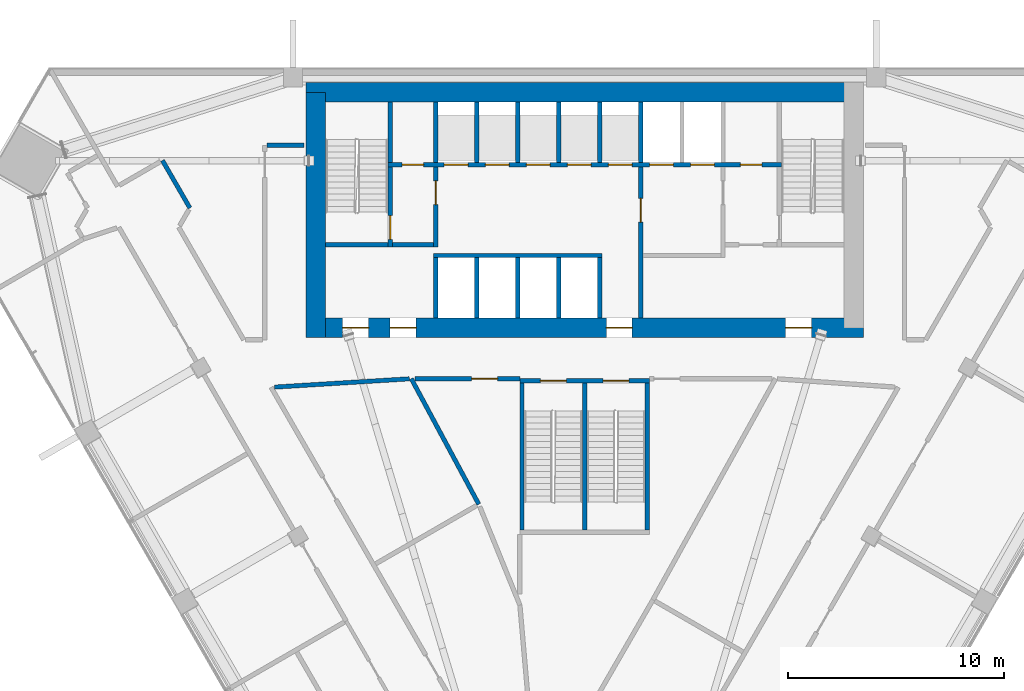
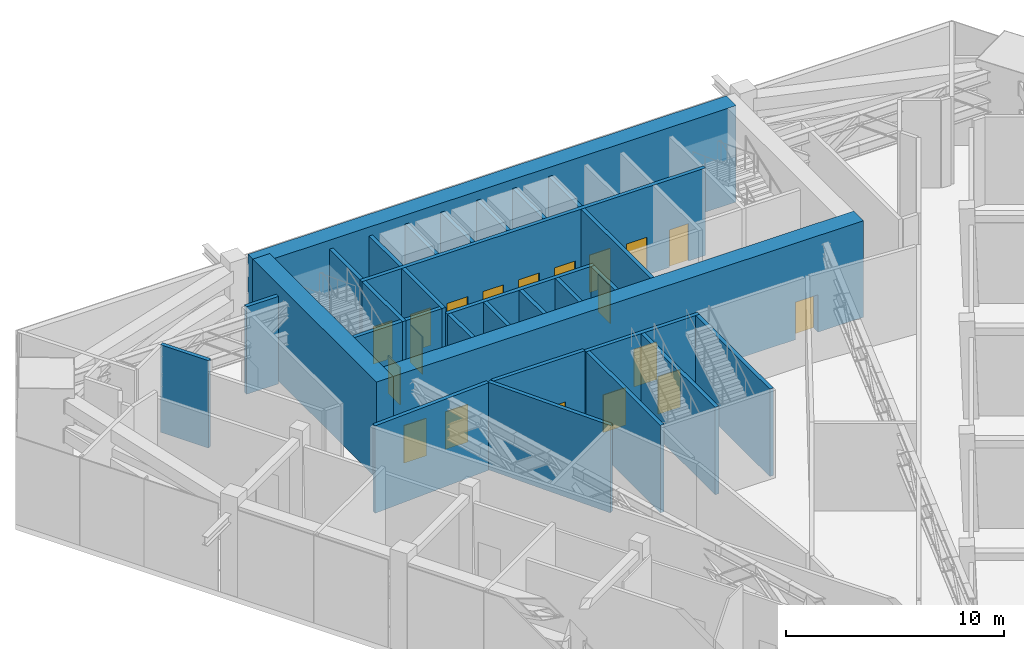
# One storey, part 10 of 15: 31 walls, 19 doors, 19 openings.
"""IFC4 building model written with IfcOpenShell, lengths in metres."""

import ifcopenshell
import ifcopenshell.guid

model = None  # the IFC model being written
_history = None  # IfcOwnerHistory: only IFC2X3 demands one
_inside = {}  # id of a spatial element -> (the spatial element, [elements in it])
_under = {}  # id of a project, library or spatial element -> (it, [spatial elements below it])
_declared = {}  # id of a project -> (the project, [libraries it declares])
_typed = {}  # id of a type object -> (the type object, [elements of that type])
_made_of = {}  # id of a material, layer set ... -> (it, [elements and type objects made of it])


def new_model(schema):
    """Start an empty IFC model of exactly this schema.

    Asked for "IFC4X3", IfcOpenShell would pick the latest addendum, in which some entities
    have other attributes; the version numbers below select the first issue.
    IFC2X3 requires an IfcOwnerHistory on every rooted entity: one is made here for all.
    """
    global model, _history
    if schema == "IFC4X3":
        model = ifcopenshell.file(schema_version=(4, 3, 0, 0))
    else:
        model = ifcopenshell.file(schema=schema)
    _inside.clear()
    _under.clear()
    _declared.clear()
    _typed.clear()
    _made_of.clear()
    _history = None
    if model.schema == "IFC2X3":
        org = make("IfcOrganization", Name="unknown")
        user = make(
            "IfcPersonAndOrganization",
            ThePerson=make("IfcPerson", FamilyName="unknown"),
            TheOrganization=org,
        )
        app = make(
            "IfcApplication",
            ApplicationDeveloper=org,
            Version="unknown",
            ApplicationFullName="unknown",
            ApplicationIdentifier="unknown",
        )
        _history = make(
            "IfcOwnerHistory",
            OwningUser=user,
            OwningApplication=app,
            ChangeAction="ADDED",
            CreationDate=0,
        )
    return model


def make(cls, **values):
    """One entity of the class cls with the attributes given. An attribute that is None is left unset."""
    return model.create_entity(
        cls, **{name: value for name, value in values.items() if value is not None}
    )


def rooted(cls, **values):
    """An entity with a GlobalId (a new one), such as an element, a storey or a relation."""
    return make(cls, GlobalId=ifcopenshell.guid.new(), OwnerHistory=_history, **values)


def si_unit(unit_type, name, prefix=None):
    """IfcSIUnit, for example si_unit("LENGTHUNIT", "METRE", prefix="MILLI")."""
    return make("IfcSIUnit", UnitType=unit_type, Prefix=prefix, Name=name)


def assignment(units):
    """IfcUnitAssignment: the units of a project."""
    return None if units is None else make("IfcUnitAssignment", Units=units)


def point(xyz):
    """IfcCartesianPoint."""
    return None if xyz is None else make("IfcCartesianPoint", Coordinates=xyz)


def direction(xyz):
    """IfcDirection."""
    return None if xyz is None else make("IfcDirection", DirectionRatios=xyz)


def frame(location, z_axis=None, x_axis=None):
    """IfcAxis2Placement3D, a coordinate frame: its origin and axes. An axis left out is left unset."""
    return make(
        "IfcAxis2Placement3D",
        Location=point(location),
        Axis=direction(z_axis),
        RefDirection=direction(x_axis),
    )


def frame_2d(location, x_axis=None):
    """IfcAxis2Placement2D, a coordinate frame in the plane: its origin and x axis."""
    return make(
        "IfcAxis2Placement2D", Location=point(location), RefDirection=direction(x_axis)
    )


def origin():
    """The frame at (0, 0, 0) with its axes left unset."""
    return frame((0.0, 0.0, 0.0))


def place(relative_to, where):
    """IfcLocalPlacement: puts the frame where relative to a parent placement (None: the world)."""
    return make(
        "IfcLocalPlacement", PlacementRelTo=relative_to, RelativePlacement=where
    )


def context(
    kind, dimensions, precision=None, world=None, true_north=None, identifier=None
):
    """IfcGeometricRepresentationContext, for example the 3D "Model" context."""
    return make(
        "IfcGeometricRepresentationContext",
        ContextIdentifier=identifier,
        ContextType=kind,
        CoordinateSpaceDimension=dimensions,
        Precision=precision,
        WorldCoordinateSystem=world,
        TrueNorth=true_north,
    )


def subcontext(parent, identifier, kind, view, scale=None):
    """IfcGeometricRepresentationSubContext, for example "Body" below "Model"."""
    return make(
        "IfcGeometricRepresentationSubContext",
        ContextIdentifier=identifier,
        ContextType=kind,
        ParentContext=parent,
        TargetScale=scale,
        TargetView=view,
    )


def project(units=None, contexts=None):
    """IfcProject with its units and contexts."""
    return rooted(
        "IfcProject",
        Name="project",
        RepresentationContexts=contexts,
        UnitsInContext=assignment(units),
    )


def spatial(cls, under=None, at=None, **own):
    """A site, building, storey or space (cls), placed at a placement, below another one or the project."""
    s = rooted(cls, ObjectPlacement=at, **own)
    if under is not None:
        _under.setdefault(under.id(), (under, []))[1].append(s)
    return s


def profile(cls, at=None, kind="AREA", **sizes):
    """A parametric profile (cls). Its sizes go by their IFC names, for example OverallWidth=200.0."""
    return make(cls, ProfileType=kind, Position=at, **sizes)


def rectangle(**sizes):
    """IfcRectangleProfileDef."""
    return profile("IfcRectangleProfileDef", **sizes)


def extrude(swept, where, along, depth):
    """IfcExtrudedAreaSolid: the profile swept, set in the frame where, extruded along a direction by depth."""
    return make(
        "IfcExtrudedAreaSolid",
        SweptArea=swept,
        Position=where,
        ExtrudedDirection=direction(along),
        Depth=depth,
    )


def shape(context_of_items, identifier, shape_type, items):
    """IfcShapeRepresentation: the items that make up one representation, for example the "Body"."""
    return make(
        "IfcShapeRepresentation",
        ContextOfItems=context_of_items,
        RepresentationIdentifier=identifier,
        RepresentationType=shape_type,
        Items=items,
    )


def material(Name=None, Category=None):
    """IfcMaterial."""
    return make("IfcMaterial", Name=Name, Category=Category)


def layer(
    of_material, thickness, ventilated=None, Name=None, Category=None, Priority=None
):
    """IfcMaterialLayer: one layer of a wall or slab, of a material (None: an air gap)."""
    return make(
        "IfcMaterialLayer",
        Material=of_material,
        LayerThickness=thickness,
        IsVentilated=ventilated,
        Name=Name,
        Category=Category,
        Priority=Priority,
    )


def layer_set(layers, Name=None):
    """IfcMaterialLayerSet."""
    return make("IfcMaterialLayerSet", MaterialLayers=layers, LayerSetName=Name)


def made_of(thing, what):
    """Note that an element or type object is made of a material, layer set ...; save() writes the relation."""
    if what is not None:
        _made_of.setdefault(what.id(), (what, []))[1].append(thing)
    return thing


def type_object(cls, material=None, **own):
    """A type object (cls), such as IfcWallType, which elements share."""
    return made_of(rooted(cls, **own), material)


def element(
    cls,
    number,
    at=None,
    inside=None,
    cuts=None,
    type_object=None,
    material=None,
    context=None,
    identifier="Body",
    shape_type=None,
    held_by="IfcProductDefinitionShape",
    body=None,
    shapes=None,
    **own,
):
    """One element of the class cls, such as IfcWall. Its Tag is "e" and its number.

    at: its placement. inside: the storey or other place that contains it. cuts: it is an
    opening in that element (IfcRelVoidsElement). A single representation is given by context,
    identifier, shape_type and body (its items); several are given by shapes. held_by: the class
    of the entity that holds the representations. save() writes the other relations.
    """
    e = rooted(cls, Tag="e%d" % number, ObjectPlacement=at, **own)
    if body is not None:
        shapes = [shape(context, identifier, shape_type, body)]
    if shapes is not None:
        e.Representation = make(held_by, Representations=shapes)
    if inside is not None:
        _inside.setdefault(inside.id(), (inside, []))[1].append(e)
    if cuts is not None:
        rooted(
            "IfcRelVoidsElement", RelatingBuildingElement=cuts, RelatedOpeningElement=e
        )
    if type_object is not None:
        _typed.setdefault(type_object.id(), (type_object, []))[1].append(e)
    return made_of(e, material)


def fill(opening, filler):
    """IfcRelFillsElement: the door or window that sits in an opening."""
    return rooted(
        "IfcRelFillsElement",
        RelatingOpeningElement=opening,
        RelatedBuildingElement=filler,
    )


def aggregate(whole, parts):
    """IfcRelAggregates: a whole, such as a stair, and the parts it consists of."""
    return rooted("IfcRelAggregates", RelatingObject=whole, RelatedObjects=parts)


def save(model, path):
    """Write the relations noted so far, then the file.

    IfcRelAggregates (storeys below a building ...), IfcRelContainedInSpatialStructure (elements
    in a storey), IfcRelDefinesByType, IfcRelAssociatesMaterial and IfcRelDeclares: one each for
    every whole, place, type object, material and project.
    """
    for whole, parts in _under.values():
        aggregate(whole, parts)
    for where, things in _inside.values():
        rooted(
            "IfcRelContainedInSpatialStructure",
            RelatedElements=things,
            RelatingStructure=where,
        )
    for kind, things in _typed.values():
        rooted("IfcRelDefinesByType", RelatedObjects=things, RelatingType=kind)
    for what, things in _made_of.values():
        rooted("IfcRelAssociatesMaterial", RelatedObjects=things, RelatingMaterial=what)
    for by, libraries in _declared.values():
        rooted("IfcRelDeclares", RelatingContext=by, RelatedDefinitions=libraries)
    model.write(path)


model = new_model("IFC4")

# Units and contexts
model_context = context("Model", 3, precision=1e-05, world=origin(), true_north=direction((0.0, 1.0)))
body_context = subcontext(model_context, "Body", "Model", "MODEL_VIEW")
ifc_project = project(units=[si_unit("LENGTHUNIT", "METRE"), si_unit("AREAUNIT", "SQUARE_METRE"), si_unit("VOLUMEUNIT", "CUBIC_METRE"), si_unit("PLANEANGLEUNIT", "RADIAN"), si_unit("MASSUNIT", "GRAM", prefix="KILO")], contexts=[model_context])

# Site, building, storey
site_placement = place(None, origin())
site = spatial("IfcSite", under=ifc_project, at=site_placement, CompositionType="ELEMENT")
building_placement = place(site_placement, origin())
building = spatial("IfcBuilding", under=site, at=building_placement, Name="Altiplano Prism Tower", CompositionType="ELEMENT")
storey_placement = place(building_placement, frame((0.0, 0.0, 95.39990234375)))
storey = spatial("IfcBuildingStorey", under=building, at=storey_placement, Name="L24", CompositionType="ELEMENT", Elevation=95.39990234375)

# Wall, openings, doors
ifc_material_1 = material(Name="Concrete C70/85", Category="concrete")
ifc_layer_1 = layer(ifc_material_1, 0.89990234375)
ifc_layer_set_1 = layer_set([ifc_layer_1], Name="Concrete C70/85")
wall_type_1 = type_object("IfcWallType", Name="Core wall 900", PredefinedType="SHEAR", material=ifc_layer_set_1)
wall_1_placement = place(storey_placement, frame((72.550048828125, 92.949951171875, 0.0), z_axis=(0.0, 0.0, 1.0), x_axis=(1.0, 0.0, 0.0)))
wall_1 = element("IfcWall", 1, at=wall_1_placement, inside=storey, type_object=wall_type_1, Name="Core wall S L24", PredefinedType="SHEAR", context=body_context, shape_type="SweptSolid", body=[
    extrude(rectangle(XDim=25.349853515625, YDim=0.89990234375, at=frame_2d((12.6748046875, 0.0))), origin(), (0.0, 0.0, 1.0), 5.400146484375),
])
opening_1_placement = place(wall_1_placement, frame((1.25, 0.0, 0.0)))
opening_1 = element("IfcOpeningElement", 2, at=opening_1_placement, cuts=wall_1, Name="Opening D2913", PredefinedType="OPENING", context=body_context, shape_type="SweptSolid", body=[
    extrude(rectangle(XDim=1.199951171875, YDim=2.10009765625, at=frame_2d((0.60009765625, 1.050048828125))), frame((0.0, 0.46044921875, 0.0), z_axis=(0.0, -1.0, 0.0), x_axis=(1.0, 0.0, 0.0)), (0.0, 0.0, 1.0), 0.9208984375),
])
opening_2_placement = place(wall_1_placement, frame((3.449951171875, 0.0, 0.0)))
opening_2 = element("IfcOpeningElement", 3, at=opening_2_placement, cuts=wall_1, Name="Opening D2914", PredefinedType="OPENING", context=body_context, shape_type="SweptSolid", body=[
    extrude(rectangle(XDim=1.199951171875, YDim=2.10009765625, at=frame_2d((0.60009765625, 1.050048828125))), frame((0.0, 0.46044921875, 0.0), z_axis=(0.0, -1.0, 0.0), x_axis=(1.0, 0.0, 0.0)), (0.0, 0.0, 1.0), 0.9208984375),
])
opening_3_placement = place(wall_1_placement, frame((13.449951171875, 0.0, 0.0)))
opening_3 = element("IfcOpeningElement", 4, at=opening_3_placement, cuts=wall_1, Name="Opening D2915", PredefinedType="OPENING", context=body_context, shape_type="SweptSolid", body=[
    extrude(rectangle(XDim=1.199951171875, YDim=2.10009765625, at=frame_2d((0.60009765625, 1.050048828125))), frame((0.0, 0.46044921875, 0.0), z_axis=(0.0, -1.0, 0.0), x_axis=(1.0, 0.0, 0.0)), (0.0, 0.0, 1.0), 0.9208984375),
])
opening_4_placement = place(wall_1_placement, frame((21.75, 0.0, 0.0)))
opening_4 = element("IfcOpeningElement", 5, at=opening_4_placement, cuts=wall_1, Name="Opening D2918", PredefinedType="OPENING", context=body_context, shape_type="SweptSolid", body=[
    extrude(rectangle(XDim=1.199951171875, YDim=2.10009765625, at=frame_2d((0.60009765625, 1.050048828125))), frame((0.0, 0.46044921875, 0.0), z_axis=(0.0, -1.0, 0.0), x_axis=(1.0, 0.0, 0.0)), (0.0, 0.0, 1.0), 0.9208984375),
])
ifc_material_2 = material(Name="Fire-rated steel door", Category="steel")
door_type_1 = type_object("IfcDoorType", Name="Core room door 1200 x 2100", OperationType="NOTDEFINED", PredefinedType="NOTDEFINED", material=ifc_material_2)
door_1_placement = place(opening_4_placement, origin())
door_1 = element("IfcDoor", 6, at=door_1_placement, inside=storey, type_object=door_type_1, Name="Core room door D2918", OperationType="SINGLE_SWING_RIGHT", OverallHeight=2.10009765625, OverallWidth=1.199951171875, PredefinedType="NOTDEFINED", context=body_context, shape_type="SweptSolid", body=[
    extrude(rectangle(XDim=1.199951171875, YDim=2.10009765625, at=frame_2d((0.60009765625, 1.050048828125))), frame((0.0, 0.02490234375, 0.0), z_axis=(0.0, -1.0, 0.0), x_axis=(1.0, 0.0, 0.0)), (0.0, 0.0, 1.0), 0.050048828125),
])
fill(opening_4, door_1)
door_type_2 = type_object("IfcDoorType", Name="Lobby fire door 1200 x 2100", OperationType="NOTDEFINED", PredefinedType="NOTDEFINED", material=ifc_material_2)
door_2_placement = place(opening_1_placement, origin())
door_2 = element("IfcDoor", 7, at=door_2_placement, inside=storey, type_object=door_type_2, Name="Lobby fire door D2913", OperationType="SINGLE_SWING_RIGHT", OverallHeight=2.10009765625, OverallWidth=1.199951171875, PredefinedType="NOTDEFINED", context=body_context, shape_type="SweptSolid", body=[
    extrude(rectangle(XDim=1.199951171875, YDim=2.10009765625, at=frame_2d((0.60009765625, 1.050048828125))), frame((0.0, 0.02490234375, 0.0), z_axis=(0.0, -1.0, 0.0), x_axis=(1.0, 0.0, 0.0)), (0.0, 0.0, 1.0), 0.050048828125),
])
fill(opening_1, door_2)
door_3_placement = place(opening_2_placement, origin())
door_3 = element("IfcDoor", 8, at=door_3_placement, inside=storey, type_object=door_type_2, Name="Lobby fire door D2914", OperationType="SINGLE_SWING_LEFT", OverallHeight=2.10009765625, OverallWidth=1.199951171875, PredefinedType="NOTDEFINED", context=body_context, shape_type="SweptSolid", body=[
    extrude(rectangle(XDim=1.199951171875, YDim=2.10009765625, at=frame_2d((0.60009765625, 1.050048828125))), frame((0.0, 0.02490234375, 0.0), z_axis=(0.0, -1.0, 0.0), x_axis=(1.0, 0.0, 0.0)), (0.0, 0.0, 1.0), 0.050048828125),
])
fill(opening_2, door_3)
door_4_placement = place(opening_3_placement, origin())
door_4 = element("IfcDoor", 9, at=door_4_placement, inside=storey, type_object=door_type_2, Name="Lobby fire door D2915", OperationType="SINGLE_SWING_RIGHT", OverallHeight=2.10009765625, OverallWidth=1.199951171875, PredefinedType="NOTDEFINED", context=body_context, shape_type="SweptSolid", body=[
    extrude(rectangle(XDim=1.199951171875, YDim=2.10009765625, at=frame_2d((0.60009765625, 1.050048828125))), frame((0.0, 0.02490234375, 0.0), z_axis=(0.0, -1.0, 0.0), x_axis=(1.0, 0.0, 0.0)), (0.0, 0.0, 1.0), 0.050048828125),
])
fill(opening_3, door_4)

# Walls
wall_2_placement = place(storey_placement, frame((97.449951171875, 103.85009765625, 0.0), z_axis=(0.0, 0.0, 1.0), x_axis=(-1.0, 0.0, 0.0)))
element("IfcWall", 10, at=wall_2_placement, inside=storey, type_object=wall_type_1, Name="Core wall N L24", PredefinedType="SHEAR", context=body_context, shape_type="SweptSolid", body=[
    extrude(rectangle(XDim=25.349853515625, YDim=0.89990234375, at=frame_2d((12.6748046875, 0.0))), origin(), (0.0, 0.0, 1.0), 5.400146484375),
])
wall_3_placement = place(storey_placement, frame((72.550048828125, 103.85009765625, 0.0), z_axis=(0.0, 0.0, 1.0), x_axis=(0.0, -1.0, 0.0)))
element("IfcWall", 11, at=wall_3_placement, inside=storey, type_object=wall_type_1, Name="Core wall W L24", PredefinedType="SHEAR", context=body_context, shape_type="SweptSolid", body=[
    extrude(rectangle(XDim=11.35009765625, YDim=0.89990234375, at=frame_2d((5.675048828125, 0.0))), origin(), (0.0, 0.0, 1.0), 5.400146484375),
])
ifc_material_3 = material(Name="Plasterboard on steel stud", Category="steel")
ifc_layer_2 = layer(ifc_material_3, 0.199951171875)
ifc_layer_set_2 = layer_set([ifc_layer_2], Name="Plasterboard on steel stud")
wall_type_2 = type_object("IfcWallType", Name="Partition 200 plant", PredefinedType="PARTITIONING", material=ifc_layer_set_2)
wall_4_placement = place(storey_placement, frame((70.6494140625, 90.2099609375, 0.0), z_axis=(0.0, 0.0, 1.0), x_axis=(0.998113233589, 0.061400105332, 0.0)))
element("IfcWall", 12, at=wall_4_placement, inside=storey, type_object=wall_type_2, Name="Partition P04 L24 036", PredefinedType="PARTITIONING", context=body_context, shape_type="SweptSolid", body=[
    extrude(rectangle(XDim=6.24658203125, YDim=0.199951171875, at=frame_2d((3.123291015625, 0.0))), origin(), (0.0, 0.0, 1.0), 4.900146484375),
])

# Wall, opening, door
wall_5_placement = place(storey_placement, frame((77.142333984375, 90.59912109375, 0.0), z_axis=(0.0, 0.0, 1.0), x_axis=(0.999999979792, 0.000201035328, 0.0)))
wall_5 = element("IfcWall", 13, at=wall_5_placement, inside=storey, type_object=wall_type_2, Name="Partition P04 L24 037", PredefinedType="PARTITIONING", context=body_context, shape_type="SweptSolid", body=[
    extrude(rectangle(XDim=4.857666015625, YDim=0.199951171875, at=frame_2d((2.4287109375, 0.0))), origin(), (0.0, 0.0, 1.0), 4.900146484375),
])
opening_5_placement = place(wall_5_placement, frame((2.6279296875, 0.0, 0.0)))
opening_5 = element("IfcOpeningElement", 14, at=opening_5_placement, cuts=wall_5, Name="Opening D0905", PredefinedType="OPENING", context=body_context, shape_type="SweptSolid", body=[
    extrude(rectangle(XDim=1.199951171875, YDim=2.39990234375, at=frame_2d((0.60009765625, 1.199951171875))), frame((0.0, 0.1103515625, 0.0), z_axis=(0.0, -1.0, 0.0), x_axis=(1.0, 0.0, 0.0)), (0.0, 0.0, 1.0), 0.220947265625),
])
ifc_material_4 = material(Name="Painted steel door leaf", Category="steel")
door_type_3 = type_object("IfcDoorType", Name="Plant room door 1200 x 2400", OperationType="NOTDEFINED", PredefinedType="NOTDEFINED", material=ifc_material_4)
door_5_placement = place(opening_5_placement, origin())
door_5 = element("IfcDoor", 15, at=door_5_placement, inside=storey, type_object=door_type_3, Name="Door D0905", OperationType="SINGLE_SWING_RIGHT", OverallHeight=2.39990234375, OverallWidth=1.199951171875, PredefinedType="NOTDEFINED", context=body_context, shape_type="SweptSolid", body=[
    extrude(rectangle(XDim=1.199951171875, YDim=2.39990234375, at=frame_2d((0.60009765625, 1.199951171875))), frame((0.0, 0.02490234375, 0.0), z_axis=(0.0, -1.0, 0.0), x_axis=(1.0, 0.0, 0.0)), (0.0, 0.0, 1.0), 0.050048828125),
])
fill(opening_5, door_5)

# Walls
wall_6_placement = place(storey_placement, frame((80.0986328125, 84.78857421875, 0.0), z_axis=(0.0, 0.0, 1.0), x_axis=(-0.473486182435, 0.88080124605, 0.0)))
element("IfcWall", 16, at=wall_6_placement, inside=storey, type_object=wall_type_2, Name="Partition P04 L24 060", PredefinedType="PARTITIONING", context=body_context, shape_type="SweptSolid", body=[
    extrude(rectangle(XDim=6.596923828125, YDim=0.199951171875, at=frame_2d((3.29833984375, 0.0))), origin(), (0.0, 0.0, 1.0), 4.900146484375),
])
ifc_layer_3 = layer(ifc_material_3, 0.199951171875)
ifc_layer_set_3 = layer_set([ifc_layer_3], Name="Plasterboard on steel stud")
wall_type_3 = type_object("IfcWallType", Name="Partition 200 refuge", PredefinedType="PARTITIONING", material=ifc_layer_set_3)
wall_7_placement = place(storey_placement, frame((72.0, 101.39990234375, 0.0), z_axis=(0.0, 0.0, 1.0), x_axis=(-1.0, 0.0, 0.0)))
element("IfcWall", 17, at=wall_7_placement, inside=storey, type_object=wall_type_3, Name="Partition P05 L24 025", PredefinedType="PARTITIONING", context=body_context, shape_type="SweptSolid", body=[
    extrude(rectangle(XDim=1.699951171875, YDim=0.199951171875, at=frame_2d((0.85009765625, 0.0))), origin(), (0.0, 0.0, 1.0), 4.900146484375),
])
wall_8_placement = place(storey_placement, frame((66.728271484375, 98.5, 0.0), z_axis=(0.0, 0.0, 1.0), x_axis=(-0.500035802948, 0.866004731956, 0.0)))
element("IfcWall", 18, at=wall_8_placement, inside=storey, type_object=wall_type_3, Name="Partition P05 L24 030", PredefinedType="PARTITIONING", context=body_context, shape_type="SweptSolid", body=[
    extrude(rectangle(XDim=2.540283203125, YDim=0.199951171875, at=frame_2d((1.27001953125, 0.0))), origin(), (0.0, 0.0, 1.0), 4.900146484375),
])

# Wall, opening, door
ifc_material_5 = material(Name="Concrete C60/75", Category="concrete")
ifc_layer_4 = layer(ifc_material_5, 0.199951171875)
ifc_layer_set_4 = layer_set([ifc_layer_4], Name="Concrete C60/75")
wall_type_4 = type_object("IfcWallType", Name="Refuge wall 200", PredefinedType="PARTITIONING", material=ifc_layer_set_4)
wall_9_placement = place(storey_placement, frame((87.60009765625, 93.39990234375, 0.0), z_axis=(0.0, 0.0, 1.0), x_axis=(0.0, 1.0, 0.0)))
wall_9 = element("IfcWall", 19, at=wall_9_placement, inside=storey, type_object=wall_type_4, Name="Refuge wall L24", PredefinedType="PARTITIONING", context=body_context, shape_type="SweptSolid", body=[
    extrude(rectangle(XDim=7.0, YDim=0.199951171875, at=frame_2d((3.5, 0.0))), origin(), (0.0, 0.0, 1.0), 4.900146484375),
])
opening_6_placement = place(wall_9_placement, frame((4.449951171875, 0.0, 0.0)))
opening_6 = element("IfcOpeningElement", 20, at=opening_6_placement, cuts=wall_9, Name="Opening D2911", PredefinedType="OPENING", context=body_context, shape_type="SweptSolid", body=[
    extrude(rectangle(XDim=1.10009765625, YDim=2.10009765625, at=frame_2d((0.550048828125, 1.050048828125))), frame((0.0, 0.1103515625, 0.0), z_axis=(0.0, -1.0, 0.0), x_axis=(1.0, 0.0, 0.0)), (0.0, 0.0, 1.0), 0.220947265625),
])
door_type_4 = type_object("IfcDoorType", Name="Vestibule fire door 1100 x 2100", OperationType="NOTDEFINED", PredefinedType="NOTDEFINED", material=ifc_material_2)
door_6_placement = place(opening_6_placement, origin())
door_6 = element("IfcDoor", 21, at=door_6_placement, inside=storey, type_object=door_type_4, Name="Vestibule fire door D2911", OperationType="SINGLE_SWING_RIGHT", OverallHeight=2.10009765625, OverallWidth=1.10009765625, PredefinedType="NOTDEFINED", context=body_context, shape_type="SweptSolid", body=[
    extrude(rectangle(XDim=1.10009765625, YDim=2.10009765625, at=frame_2d((0.550048828125, 1.050048828125))), frame((0.0, 0.02490234375, 0.0), z_axis=(0.0, -1.0, 0.0), x_axis=(1.0, 0.0, 0.0)), (0.0, 0.0, 1.0), 0.050048828125),
])
fill(opening_6, door_6)

# Walls
ifc_layer_5 = layer(ifc_material_5, 0.199951171875)
ifc_layer_set_5 = layer_set([ifc_layer_5], Name="Concrete C60/75")
wall_type_5 = type_object("IfcWallType", Name="Shaft wall 200", PredefinedType="SOLIDWALL", material=ifc_layer_set_5)
for number, where, z_axis, x_axis, name in (
    (22, (78.10009765625, 93.39990234375, 0.0), (0.0, 0.0, 1.0), (0.0, 1.0, 0.0), "Shaft wall L24"),
    (23, (80.0, 93.39990234375, 0.0), (0.0, 0.0, 1.0), (0.0, 1.0, 0.0), "Shaft wall L24"),
    (24, (81.89990234375, 93.39990234375, 0.0), (0.0, 0.0, 1.0), (0.0, 1.0, 0.0), "Shaft wall L24"),
    (25, (83.800048828125, 93.39990234375, 0.0), (0.0, 0.0, 1.0), (0.0, 1.0, 0.0), "Shaft wall L24"),
    (26, (85.699951171875, 93.39990234375, 0.0), (0.0, 0.0, 1.0), (0.0, 1.0, 0.0), "Shaft wall L24"),
):
    element("IfcWall", number, at=place(storey_placement, frame(where, z_axis=z_axis, x_axis=x_axis)), inside=storey, type_object=wall_type_5, Name=name, PredefinedType="SOLIDWALL", context=body_context, shape_type="SweptSolid", body=[
        extrude(rectangle(XDim=2.800048828125, YDim=0.199951171875, at=frame_2d((1.39990234375, 0.0))), origin(), (0.0, 0.0, 1.0), 4.900146484375),
    ])
wall_10_placement = place(storey_placement, frame((78.0, 96.300048828125, 0.0), z_axis=(0.0, 0.0, 1.0), x_axis=(1.0, 0.0, 0.0)))
element("IfcWall", 27, at=wall_10_placement, inside=storey, type_object=wall_type_5, Name="Shaft wall L24", PredefinedType="SOLIDWALL", context=body_context, shape_type="SweptSolid", body=[
    extrude(rectangle(XDim=7.800048828125, YDim=0.199951171875, at=frame_2d((3.89990234375, 0.0))), origin(), (0.0, 0.0, 1.0), 4.900146484375),
])
for number, where, z_axis, x_axis, name in (
    (28, (78.10009765625, 100.60009765625, 0.0), (0.0, 0.0, 1.0), (0.0, 1.0, 0.0), "Shaft wall L24"),
    (29, (80.0, 100.60009765625, 0.0), (0.0, 0.0, 1.0), (0.0, 1.0, 0.0), "Shaft wall L24"),
    (30, (81.89990234375, 100.60009765625, 0.0), (0.0, 0.0, 1.0), (0.0, 1.0, 0.0), "Shaft wall L24"),
    (31, (83.800048828125, 100.60009765625, 0.0), (0.0, 0.0, 1.0), (0.0, 1.0, 0.0), "Shaft wall L24"),
    (32, (85.699951171875, 100.60009765625, 0.0), (0.0, 0.0, 1.0), (0.0, 1.0, 0.0), "Shaft wall L24"),
    (33, (87.60009765625, 100.60009765625, 0.0), (0.0, 0.0, 1.0), (0.0, 1.0, 0.0), "Shaft wall L24"),
):
    element("IfcWall", number, at=place(storey_placement, frame(where, z_axis=z_axis, x_axis=x_axis)), inside=storey, type_object=wall_type_5, Name=name, PredefinedType="SOLIDWALL", context=body_context, shape_type="SweptSolid", body=[
        extrude(rectangle(XDim=2.7998046875, YDim=0.199951171875, at=frame_2d((1.39990234375, 0.0))), origin(), (0.0, 0.0, 1.0), 4.900146484375),
    ])
ifc_layer_6 = layer(ifc_material_5, 0.199951171875)
ifc_layer_set_6 = layer_set([ifc_layer_6], Name="Concrete C60/75")
wall_type_6 = type_object("IfcWallType", Name="Stair wall 200", PredefinedType="SOLIDWALL", material=ifc_layer_set_6)
wall_11_placement = place(storey_placement, frame((73.0, 96.800048828125, 0.0), z_axis=(0.0, 0.0, 1.0), x_axis=(1.0, 0.0, 0.0)))
element("IfcWall", 34, at=wall_11_placement, inside=storey, type_object=wall_type_6, Name="Stair wall L24", PredefinedType="SOLIDWALL", context=body_context, shape_type="SweptSolid", body=[
    extrude(rectangle(XDim=2.89990234375, YDim=0.199951171875, at=frame_2d((1.449951171875, 0.0))), origin(), (0.0, 0.0, 1.0), 4.900146484375),
])

# Wall, opening, door
wall_12_placement = place(storey_placement, frame((76.0, 96.699951171875, 0.0), z_axis=(0.0, 0.0, 1.0), x_axis=(0.0, 1.0, 0.0)))
wall_12 = element("IfcWall", 35, at=wall_12_placement, inside=storey, type_object=wall_type_6, Name="Stair wall L24", PredefinedType="SOLIDWALL", context=body_context, shape_type="SweptSolid", body=[
    extrude(rectangle(XDim=3.699951171875, YDim=0.199951171875, at=frame_2d((1.85009765625, 0.0))), origin(), (0.0, 0.0, 1.0), 4.900146484375),
])
opening_7_placement = place(wall_12_placement, frame((0.35009765625, 0.0, 0.0)))
opening_7 = element("IfcOpeningElement", 36, at=opening_7_placement, cuts=wall_12, Name="Opening D2908", PredefinedType="OPENING", context=body_context, shape_type="SweptSolid", body=[
    extrude(rectangle(XDim=1.10009765625, YDim=2.10009765625, at=frame_2d((0.550048828125, 1.050048828125))), frame((0.0, 0.1103515625, 0.0), z_axis=(0.0, -1.0, 0.0), x_axis=(1.0, 0.0, 0.0)), (0.0, 0.0, 1.0), 0.220947265625),
])
door_type_5 = type_object("IfcDoorType", Name="Stair fire door 1100 x 2100", OperationType="NOTDEFINED", PredefinedType="NOTDEFINED", material=ifc_material_2)
door_7_placement = place(opening_7_placement, origin())
door_7 = element("IfcDoor", 37, at=door_7_placement, inside=storey, type_object=door_type_5, Name="Stair fire door D2908", OperationType="SINGLE_SWING_RIGHT", OverallHeight=2.10009765625, OverallWidth=1.10009765625, PredefinedType="NOTDEFINED", context=body_context, shape_type="SweptSolid", body=[
    extrude(rectangle(XDim=1.10009765625, YDim=2.10009765625, at=frame_2d((0.550048828125, 1.050048828125))), frame((0.0, 0.02490234375, 0.0), z_axis=(0.0, -1.0, 0.0), x_axis=(1.0, 0.0, 0.0)), (0.0, 0.0, 1.0), 0.050048828125),
])
fill(opening_7, door_7)

# Wall, openings, doors
wall_13_placement = place(storey_placement, frame((75.89990234375, 100.5, 0.0), z_axis=(0.0, 0.0, 1.0), x_axis=(1.0, 0.0, 0.0)))
wall_13 = element("IfcWall", 38, at=wall_13_placement, inside=storey, type_object=wall_type_6, Name="Stair wall L24", PredefinedType="SOLIDWALL", context=body_context, shape_type="SweptSolid", body=[
    extrude(rectangle(XDim=18.2001953125, YDim=0.199951171875, at=frame_2d((9.10009765625, 0.0))), origin(), (0.0, 0.0, 1.0), 4.900146484375),
])
opening_8_placement = place(wall_13_placement, frame((2.60009765625, 0.0, 0.0)))
opening_8 = element("IfcOpeningElement", 39, at=opening_8_placement, cuts=wall_13, Name="Opening LD-LL1-L24", PredefinedType="OPENING", context=body_context, shape_type="SweptSolid", body=[
    extrude(rectangle(XDim=1.10009765625, YDim=2.10009765625, at=frame_2d((0.550048828125, 1.050048828125))), frame((0.0, 0.1103515625, 0.0), z_axis=(0.0, -1.0, 0.0), x_axis=(1.0, 0.0, 0.0)), (0.0, 0.0, 1.0), 0.220947265625),
])
opening_9_placement = place(wall_13_placement, frame((4.5, 0.0, 0.0)))
opening_9 = element("IfcOpeningElement", 40, at=opening_9_placement, cuts=wall_13, Name="Opening LD-LL2-L24", PredefinedType="OPENING", context=body_context, shape_type="SweptSolid", body=[
    extrude(rectangle(XDim=1.10009765625, YDim=2.10009765625, at=frame_2d((0.550048828125, 1.050048828125))), frame((0.0, 0.1103515625, 0.0), z_axis=(0.0, -1.0, 0.0), x_axis=(1.0, 0.0, 0.0)), (0.0, 0.0, 1.0), 0.220947265625),
])
opening_10_placement = place(wall_13_placement, frame((6.39990234375, 0.0, 0.0)))
opening_10 = element("IfcOpeningElement", 41, at=opening_10_placement, cuts=wall_13, Name="Opening LD-LL3-L24", PredefinedType="OPENING", context=body_context, shape_type="SweptSolid", body=[
    extrude(rectangle(XDim=1.10009765625, YDim=2.10009765625, at=frame_2d((0.550048828125, 1.050048828125))), frame((0.0, 0.1103515625, 0.0), z_axis=(0.0, -1.0, 0.0), x_axis=(1.0, 0.0, 0.0)), (0.0, 0.0, 1.0), 0.220947265625),
])
opening_11_placement = place(wall_13_placement, frame((8.300048828125, 0.0, 0.0)))
opening_11 = element("IfcOpeningElement", 42, at=opening_11_placement, cuts=wall_13, Name="Opening LD-LL4-L24", PredefinedType="OPENING", context=body_context, shape_type="SweptSolid", body=[
    extrude(rectangle(XDim=1.10009765625, YDim=2.10009765625, at=frame_2d((0.550048828125, 1.050048828125))), frame((0.0, 0.1103515625, 0.0), z_axis=(0.0, -1.0, 0.0), x_axis=(1.0, 0.0, 0.0)), (0.0, 0.0, 1.0), 0.220947265625),
])
opening_12_placement = place(wall_13_placement, frame((10.199951171875, 0.0, 0.0)))
opening_12 = element("IfcOpeningElement", 43, at=opening_12_placement, cuts=wall_13, Name="Opening LD-LL5-L24", PredefinedType="OPENING", context=body_context, shape_type="SweptSolid", body=[
    extrude(rectangle(XDim=1.10009765625, YDim=2.10009765625, at=frame_2d((0.550048828125, 1.050048828125))), frame((0.0, 0.1103515625, 0.0), z_axis=(0.0, -1.0, 0.0), x_axis=(1.0, 0.0, 0.0)), (0.0, 0.0, 1.0), 0.220947265625),
])
opening_13_placement = place(wall_13_placement, frame((12.10009765625, 0.0, 0.0)))
opening_13 = element("IfcOpeningElement", 44, at=opening_13_placement, cuts=wall_13, Name="Opening LD-FF1-L24", PredefinedType="OPENING", context=body_context, shape_type="SweptSolid", body=[
    extrude(rectangle(XDim=1.10009765625, YDim=2.10009765625, at=frame_2d((0.550048828125, 1.050048828125))), frame((0.0, 0.1103515625, 0.0), z_axis=(0.0, -1.0, 0.0), x_axis=(1.0, 0.0, 0.0)), (0.0, 0.0, 1.0), 0.220947265625),
])
opening_14_placement = place(wall_13_placement, frame((14.0, 0.0, 0.0)))
opening_14 = element("IfcOpeningElement", 45, at=opening_14_placement, cuts=wall_13, Name="Opening LD-FF2-L24", PredefinedType="OPENING", context=body_context, shape_type="SweptSolid", body=[
    extrude(rectangle(XDim=1.10009765625, YDim=2.10009765625, at=frame_2d((0.550048828125, 1.050048828125))), frame((0.0, 0.1103515625, 0.0), z_axis=(0.0, -1.0, 0.0), x_axis=(1.0, 0.0, 0.0)), (0.0, 0.0, 1.0), 0.220947265625),
])
opening_15_placement = place(wall_13_placement, frame((0.64990234375, 0.0, 0.0)))
opening_15 = element("IfcOpeningElement", 46, at=opening_15_placement, cuts=wall_13, Name="Opening D2916", PredefinedType="OPENING", context=body_context, shape_type="SweptSolid", body=[
    extrude(rectangle(XDim=1.0, YDim=2.10009765625, at=frame_2d((0.5, 1.050048828125))), frame((0.0, 0.1103515625, 0.0), z_axis=(0.0, -1.0, 0.0), x_axis=(1.0, 0.0, 0.0)), (0.0, 0.0, 1.0), 0.220947265625),
])
opening_16_placement = place(wall_13_placement, frame((16.300048828125, 0.0, 0.0)))
opening_16 = element("IfcOpeningElement", 47, at=opening_16_placement, cuts=wall_13, Name="Opening D2917", PredefinedType="OPENING", context=body_context, shape_type="SweptSolid", body=[
    extrude(rectangle(XDim=1.0, YDim=2.10009765625, at=frame_2d((0.5, 1.050048828125))), frame((0.0, 0.1103515625, 0.0), z_axis=(0.0, -1.0, 0.0), x_axis=(1.0, 0.0, 0.0)), (0.0, 0.0, 1.0), 0.220947265625),
])
door_type_6 = type_object("IfcDoorType", Name="Core room door 1000 x 2100", OperationType="NOTDEFINED", PredefinedType="NOTDEFINED", material=ifc_material_2)
door_8_placement = place(opening_15_placement, origin())
door_8 = element("IfcDoor", 48, at=door_8_placement, inside=storey, type_object=door_type_6, Name="Core room door D2916", OperationType="SINGLE_SWING_LEFT", OverallHeight=2.10009765625, OverallWidth=1.0, PredefinedType="NOTDEFINED", context=body_context, shape_type="SweptSolid", body=[
    extrude(rectangle(XDim=1.0, YDim=2.10009765625, at=frame_2d((0.5, 1.050048828125))), frame((0.0, 0.02490234375, 0.0), z_axis=(0.0, -1.0, 0.0), x_axis=(1.0, 0.0, 0.0)), (0.0, 0.0, 1.0), 0.050048828125),
])
fill(opening_15, door_8)
door_9_placement = place(opening_16_placement, origin())
door_9 = element("IfcDoor", 49, at=door_9_placement, inside=storey, type_object=door_type_6, Name="Core room door D2917", OperationType="SINGLE_SWING_RIGHT", OverallHeight=2.10009765625, OverallWidth=1.0, PredefinedType="NOTDEFINED", context=body_context, shape_type="SweptSolid", body=[
    extrude(rectangle(XDim=1.0, YDim=2.10009765625, at=frame_2d((0.5, 1.050048828125))), frame((0.0, 0.02490234375, 0.0), z_axis=(0.0, -1.0, 0.0), x_axis=(1.0, 0.0, 0.0)), (0.0, 0.0, 1.0), 0.050048828125),
])
fill(opening_16, door_9)
ifc_material_6 = material(Name="Stainless steel landing door", Category="steel")
door_type_7 = type_object("IfcDoorType", Name="Landing door 1100 x 2100", OperationType="NOTDEFINED", PredefinedType="NOTDEFINED", material=ifc_material_6)
door_10_placement = place(opening_8_placement, origin())
door_10 = element("IfcDoor", 50, at=door_10_placement, inside=storey, type_object=door_type_7, Name="Landing doors LL1", OperationType="SLIDING_TO_RIGHT", OverallHeight=2.10009765625, OverallWidth=1.10009765625, PredefinedType="NOTDEFINED", context=body_context, shape_type="SweptSolid", body=[
    extrude(rectangle(XDim=1.10009765625, YDim=2.10009765625, at=frame_2d((0.550048828125, 1.050048828125))), frame((0.0, 0.02490234375, 0.0), z_axis=(0.0, -1.0, 0.0), x_axis=(1.0, 0.0, 0.0)), (0.0, 0.0, 1.0), 0.050048828125),
])
fill(opening_8, door_10)
door_11_placement = place(opening_9_placement, origin())
door_11 = element("IfcDoor", 51, at=door_11_placement, inside=storey, type_object=door_type_7, Name="Landing doors LL2", OperationType="SLIDING_TO_LEFT", OverallHeight=2.10009765625, OverallWidth=1.10009765625, PredefinedType="NOTDEFINED", context=body_context, shape_type="SweptSolid", body=[
    extrude(rectangle(XDim=1.10009765625, YDim=2.10009765625, at=frame_2d((0.550048828125, 1.050048828125))), frame((0.0, 0.02490234375, 0.0), z_axis=(0.0, -1.0, 0.0), x_axis=(1.0, 0.0, 0.0)), (0.0, 0.0, 1.0), 0.050048828125),
])
fill(opening_9, door_11)
door_12_placement = place(opening_10_placement, origin())
door_12 = element("IfcDoor", 52, at=door_12_placement, inside=storey, type_object=door_type_7, Name="Landing doors LL3", OperationType="SLIDING_TO_RIGHT", OverallHeight=2.10009765625, OverallWidth=1.10009765625, PredefinedType="NOTDEFINED", context=body_context, shape_type="SweptSolid", body=[
    extrude(rectangle(XDim=1.10009765625, YDim=2.10009765625, at=frame_2d((0.550048828125, 1.050048828125))), frame((0.0, 0.02490234375, 0.0), z_axis=(0.0, -1.0, 0.0), x_axis=(1.0, 0.0, 0.0)), (0.0, 0.0, 1.0), 0.050048828125),
])
fill(opening_10, door_12)
door_13_placement = place(opening_11_placement, origin())
door_13 = element("IfcDoor", 53, at=door_13_placement, inside=storey, type_object=door_type_7, Name="Landing doors LL4", OperationType="SLIDING_TO_LEFT", OverallHeight=2.10009765625, OverallWidth=1.10009765625, PredefinedType="NOTDEFINED", context=body_context, shape_type="SweptSolid", body=[
    extrude(rectangle(XDim=1.10009765625, YDim=2.10009765625, at=frame_2d((0.550048828125, 1.050048828125))), frame((0.0, 0.02490234375, 0.0), z_axis=(0.0, -1.0, 0.0), x_axis=(1.0, 0.0, 0.0)), (0.0, 0.0, 1.0), 0.050048828125),
])
fill(opening_11, door_13)
door_14_placement = place(opening_12_placement, origin())
door_14 = element("IfcDoor", 54, at=door_14_placement, inside=storey, type_object=door_type_7, Name="Landing doors LL5", OperationType="SLIDING_TO_RIGHT", OverallHeight=2.10009765625, OverallWidth=1.10009765625, PredefinedType="NOTDEFINED", context=body_context, shape_type="SweptSolid", body=[
    extrude(rectangle(XDim=1.10009765625, YDim=2.10009765625, at=frame_2d((0.550048828125, 1.050048828125))), frame((0.0, 0.02490234375, 0.0), z_axis=(0.0, -1.0, 0.0), x_axis=(1.0, 0.0, 0.0)), (0.0, 0.0, 1.0), 0.050048828125),
])
fill(opening_12, door_14)
door_15_placement = place(opening_13_placement, origin())
door_15 = element("IfcDoor", 55, at=door_15_placement, inside=storey, type_object=door_type_7, Name="Landing doors FF1", OperationType="SLIDING_TO_RIGHT", OverallHeight=2.10009765625, OverallWidth=1.10009765625, PredefinedType="NOTDEFINED", context=body_context, shape_type="SweptSolid", body=[
    extrude(rectangle(XDim=1.10009765625, YDim=2.10009765625, at=frame_2d((0.550048828125, 1.050048828125))), frame((0.0, 0.02490234375, 0.0), z_axis=(0.0, -1.0, 0.0), x_axis=(1.0, 0.0, 0.0)), (0.0, 0.0, 1.0), 0.050048828125),
])
fill(opening_13, door_15)
door_16_placement = place(opening_14_placement, origin())
door_16 = element("IfcDoor", 56, at=door_16_placement, inside=storey, type_object=door_type_7, Name="Landing doors FF2", OperationType="SLIDING_TO_LEFT", OverallHeight=2.10009765625, OverallWidth=1.10009765625, PredefinedType="NOTDEFINED", context=body_context, shape_type="SweptSolid", body=[
    extrude(rectangle(XDim=1.10009765625, YDim=2.10009765625, at=frame_2d((0.550048828125, 1.050048828125))), frame((0.0, 0.02490234375, 0.0), z_axis=(0.0, -1.0, 0.0), x_axis=(1.0, 0.0, 0.0)), (0.0, 0.0, 1.0), 0.050048828125),
])
fill(opening_14, door_16)

# Wall
wall_14_placement = place(storey_placement, frame((76.0, 100.60009765625, 0.0), z_axis=(0.0, 0.0, 1.0), x_axis=(0.0, 1.0, 0.0)))
element("IfcWall", 57, at=wall_14_placement, inside=storey, type_object=wall_type_6, Name="Stair wall L24", PredefinedType="SOLIDWALL", context=body_context, shape_type="SweptSolid", body=[
    extrude(rectangle(XDim=2.7998046875, YDim=0.199951171875, at=frame_2d((1.39990234375, 0.0))), origin(), (0.0, 0.0, 1.0), 4.900146484375),
])

# Wall, openings, doors
wall_15_placement = place(storey_placement, frame((82.0, 90.5, 0.0), z_axis=(0.0, 0.0, 1.0), x_axis=(1.0, 0.0, 0.0)))
wall_15 = element("IfcWall", 58, at=wall_15_placement, inside=storey, type_object=wall_type_6, Name="Stair 3 wall north L24", PredefinedType="SOLIDWALL", context=body_context, shape_type="SweptSolid", body=[
    extrude(rectangle(XDim=6.0, YDim=0.199951171875, at=frame_2d((3.0, 0.0))), origin(), (0.0, 0.0, 1.0), 4.900146484375),
])
opening_17_placement = place(wall_15_placement, frame((0.949951171875, 0.0, 0.0)))
opening_17 = element("IfcOpeningElement", 59, at=opening_17_placement, cuts=wall_15, Name="Opening D3970", PredefinedType="OPENING", context=body_context, shape_type="SweptSolid", body=[
    extrude(rectangle(XDim=1.199951171875, YDim=2.10009765625, at=frame_2d((0.60009765625, 1.050048828125))), frame((0.0, 0.1103515625, 0.0), z_axis=(0.0, -1.0, 0.0), x_axis=(1.0, 0.0, 0.0)), (0.0, 0.0, 1.0), 0.220947265625),
])
opening_18_placement = place(wall_15_placement, frame((3.85009765625, 0.0, 0.0)))
opening_18 = element("IfcOpeningElement", 60, at=opening_18_placement, cuts=wall_15, Name="Opening D3971", PredefinedType="OPENING", context=body_context, shape_type="SweptSolid", body=[
    extrude(rectangle(XDim=1.199951171875, YDim=2.10009765625, at=frame_2d((0.60009765625, 1.050048828125))), frame((0.0, 0.1103515625, 0.0), z_axis=(0.0, -1.0, 0.0), x_axis=(1.0, 0.0, 0.0)), (0.0, 0.0, 1.0), 0.220947265625),
])
door_type_8 = type_object("IfcDoorType", Name="Stair fire door 1200 x 2100", OperationType="NOTDEFINED", PredefinedType="NOTDEFINED", material=ifc_material_2)
door_17_placement = place(opening_17_placement, origin())
door_17 = element("IfcDoor", 61, at=door_17_placement, inside=storey, type_object=door_type_8, Name="Stair fire door D3970", OperationType="SINGLE_SWING_LEFT", OverallHeight=2.10009765625, OverallWidth=1.199951171875, PredefinedType="NOTDEFINED", context=body_context, shape_type="SweptSolid", body=[
    extrude(rectangle(XDim=1.199951171875, YDim=2.10009765625, at=frame_2d((0.60009765625, 1.050048828125))), frame((0.0, 0.02490234375, 0.0), z_axis=(0.0, -1.0, 0.0), x_axis=(1.0, 0.0, 0.0)), (0.0, 0.0, 1.0), 0.050048828125),
])
fill(opening_17, door_17)
door_18_placement = place(opening_18_placement, origin())
door_18 = element("IfcDoor", 62, at=door_18_placement, inside=storey, type_object=door_type_8, Name="Stair fire door D3971", OperationType="SINGLE_SWING_LEFT", OverallHeight=2.10009765625, OverallWidth=1.199951171875, PredefinedType="NOTDEFINED", context=body_context, shape_type="SweptSolid", body=[
    extrude(rectangle(XDim=1.199951171875, YDim=2.10009765625, at=frame_2d((0.60009765625, 1.050048828125))), frame((0.0, 0.02490234375, 0.0), z_axis=(0.0, -1.0, 0.0), x_axis=(1.0, 0.0, 0.0)), (0.0, 0.0, 1.0), 0.050048828125),
])
fill(opening_18, door_18)

# Walls
for number, where, z_axis, x_axis, name in (
    (63, (82.10009765625, 83.60009765625, 0.0), (0.0, 0.0, 1.0), (0.0, 1.0, 0.0), "Stair 3 wall west L24"),
    (64, (87.89990234375, 83.60009765625, 0.0), (0.0, 0.0, 1.0), (0.0, 1.0, 0.0), "Stair 3 wall east L24"),
    (65, (85.0, 83.60009765625, 0.0), (0.0, 0.0, 1.0), (0.0, 1.0, 0.0), "Stair 3 wall divider L24"),
):
    element("IfcWall", number, at=place(storey_placement, frame(where, z_axis=z_axis, x_axis=x_axis)), inside=storey, type_object=wall_type_6, Name=name, PredefinedType="SOLIDWALL", context=body_context, shape_type="SweptSolid", body=[
        extrude(rectangle(XDim=6.7998046875, YDim=0.199951171875, at=frame_2d((3.39990234375, 0.0))), origin(), (0.0, 0.0, 1.0), 4.900146484375),
    ])
ifc_layer_7 = layer(ifc_material_5, 0.199951171875)
ifc_layer_set_7 = layer_set([ifc_layer_7], Name="Concrete C60/75")
wall_type_7 = type_object("IfcWallType", Name="Vestibule wall 200", PredefinedType="PARTITIONING", material=ifc_layer_set_7)
wall_16_placement = place(storey_placement, frame((76.10009765625, 96.800048828125, 0.0), z_axis=(0.0, 0.0, 1.0), x_axis=(1.0, 0.0, 0.0)))
element("IfcWall", 66, at=wall_16_placement, inside=storey, type_object=wall_type_7, Name="Vestibule wall L24", PredefinedType="PARTITIONING", context=body_context, shape_type="SweptSolid", body=[
    extrude(rectangle(XDim=1.89990234375, YDim=0.199951171875, at=frame_2d((0.949951171875, 0.0))), origin(), (0.0, 0.0, 1.0), 4.900146484375),
])

# Wall, opening, door
wall_17_placement = place(storey_placement, frame((78.10009765625, 96.699951171875, 0.0), z_axis=(0.0, 0.0, 1.0), x_axis=(0.0, 1.0, 0.0)))
wall_17 = element("IfcWall", 67, at=wall_17_placement, inside=storey, type_object=wall_type_7, Name="Vestibule wall L24", PredefinedType="PARTITIONING", context=body_context, shape_type="SweptSolid", body=[
    extrude(rectangle(XDim=3.699951171875, YDim=0.199951171875, at=frame_2d((1.85009765625, 0.0))), origin(), (0.0, 0.0, 1.0), 4.900146484375),
])
opening_19_placement = place(wall_17_placement, frame((1.949951171875, 0.0, 0.0)))
opening_19 = element("IfcOpeningElement", 68, at=opening_19_placement, cuts=wall_17, Name="Opening D2910", PredefinedType="OPENING", context=body_context, shape_type="SweptSolid", body=[
    extrude(rectangle(XDim=1.10009765625, YDim=2.10009765625, at=frame_2d((0.550048828125, 1.050048828125))), frame((0.0, 0.1103515625, 0.0), z_axis=(0.0, -1.0, 0.0), x_axis=(1.0, 0.0, 0.0)), (0.0, 0.0, 1.0), 0.220947265625),
])
door_19_placement = place(opening_19_placement, origin())
door_19 = element("IfcDoor", 69, at=door_19_placement, inside=storey, type_object=door_type_4, Name="Vestibule fire door D2910", OperationType="SINGLE_SWING_LEFT", OverallHeight=2.10009765625, OverallWidth=1.10009765625, PredefinedType="NOTDEFINED", context=body_context, shape_type="SweptSolid", body=[
    extrude(rectangle(XDim=1.10009765625, YDim=2.10009765625, at=frame_2d((0.550048828125, 1.050048828125))), frame((0.0, 0.02490234375, 0.0), z_axis=(0.0, -1.0, 0.0), x_axis=(1.0, 0.0, 0.0)), (0.0, 0.0, 1.0), 0.050048828125),
])
fill(opening_19, door_19)

save(model, "model.ifc")
